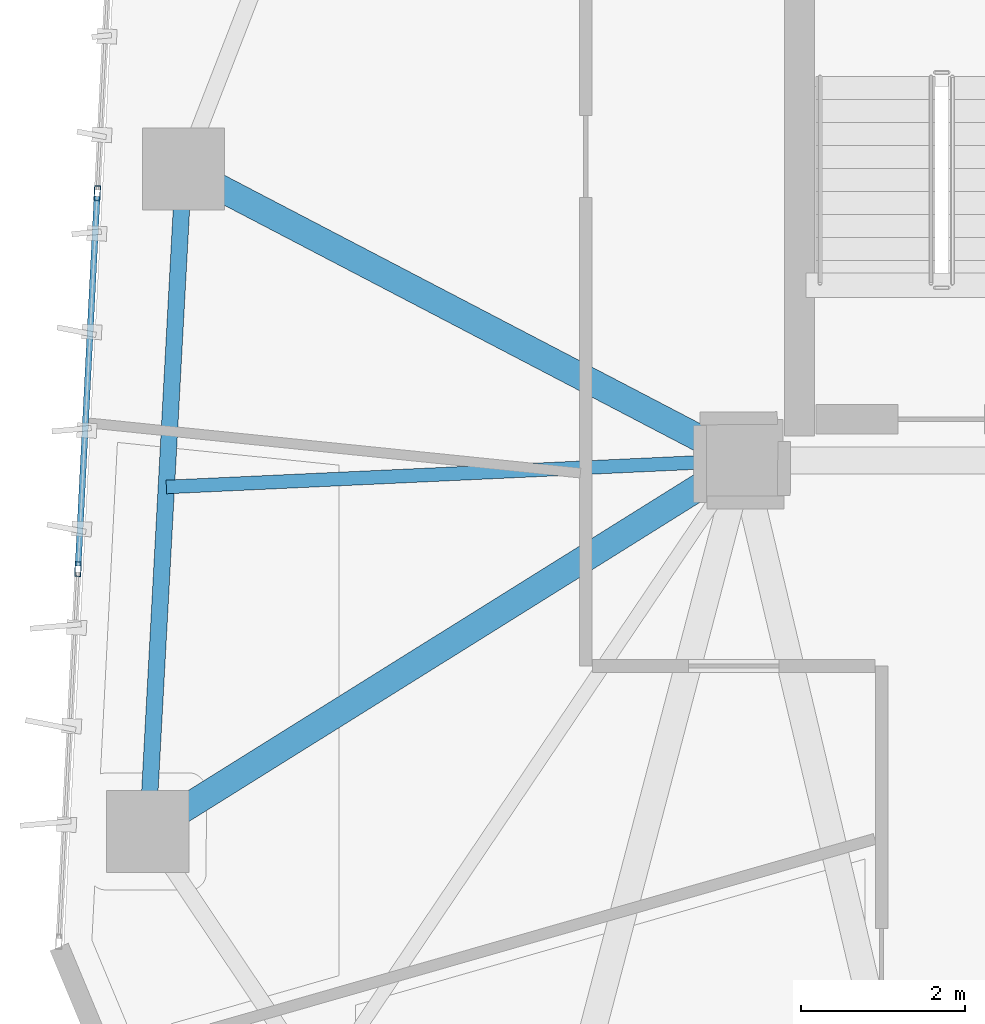
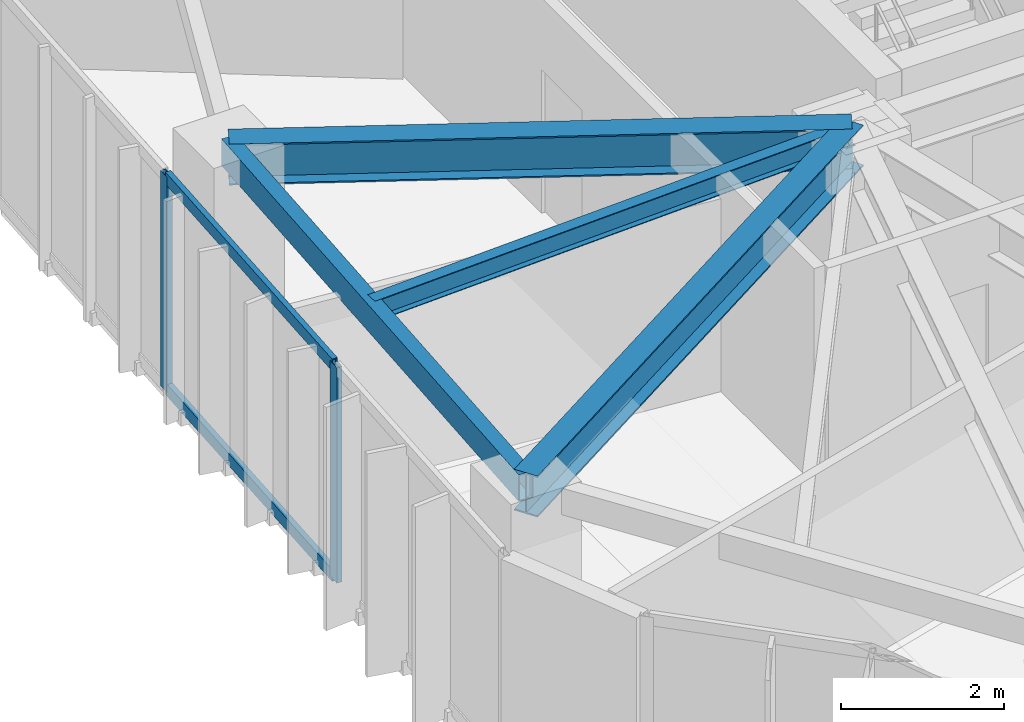
# One storey, part 7 of 19: 4 beams, 4 members, 1 element without a shape of its own.
"""IFC4 building model written with IfcOpenShell, lengths in metres."""

from ifc_helpers import new_model, si_unit, direction, frame, origin, origin_2d, place, context, subcontext, project, spatial, hollow_rectangle, i_section, extrude, source, transform, mapped, material, layer, layer_set, material_profile, profile_set, type_object, type_shapes, element, aggregate, save


model = new_model("IFC4")

# Units and contexts
model_context = context("Model", 3, precision=1e-05, world=origin(), true_north=direction((0.0, 1.0)))
body_context = subcontext(model_context, "Body", "Model", "MODEL_VIEW")
ifc_project = project(units=[si_unit("LENGTHUNIT", "METRE"), si_unit("AREAUNIT", "SQUARE_METRE"), si_unit("VOLUMEUNIT", "CUBIC_METRE"), si_unit("PLANEANGLEUNIT", "RADIAN"), si_unit("MASSUNIT", "GRAM", prefix="KILO")], contexts=[model_context])

# Site, building, storey
site_placement = place(None, origin())
site = spatial("IfcSite", under=ifc_project, at=site_placement, CompositionType="ELEMENT")
building_placement = place(site_placement, origin())
building = spatial("IfcBuilding", under=site, at=building_placement, Name="Talar Marvaseh", CompositionType="ELEMENT")
storey_placement = place(building_placement, frame((0.0, 0.0, 218.699951171875)))
storey = spatial("IfcBuildingStorey", under=building, at=storey_placement, Name="L57", CompositionType="ELEMENT", Elevation=218.699951171875)

# Beams
ifc_material_1 = material(Name="Steel S355", Category="steel")
ifc_material_profile_1 = material_profile(ifc_material_1, hollow_rectangle(XDim=0.199951171875, YDim=0.39990234375, WallThickness=0.013916015625, at=origin_2d()), Name="RHS400x200x14")
ifc_profile_set_1 = profile_set([ifc_material_profile_1], Name="Steel S355")
beam_type_1 = type_object("IfcBeamType", Name="Zone 3 Perimeter Spandrel Beam RHS400x200x14", PredefinedType="SPANDREL", material=ifc_profile_set_1)
beam_1_placement = place(storey_placement, frame((11.471923828125, 20.986083984375, 3.030029296875), z_axis=(0.054148078426, 0.998532916635, 0.0), x_axis=(-0.998532916635, 0.054148078426, 0.0)))
element("IfcBeam", 1, at=beam_1_placement, inside=storey, type_object=beam_type_1, Name="L57 Zone 3 Perimeter Spandrel Beam RHS400x200x14", PredefinedType="SPANDREL", context=body_context, shape_type="SweptSolid", body=[
    extrude(hollow_rectangle(XDim=0.199951171875, YDim=0.39990234375, WallThickness=0.013916015625, at=origin_2d()), origin(), (0.0, 0.0, 1.0), 8.070556640625),
])
ifc_material_profile_2 = material_profile(ifc_material_1, i_section(OverallWidth=0.324951171875, OverallDepth=0.615966796875, WebThickness=0.013916015625, FlangeThickness=0.021484375, at=origin_2d()), Name="W610x174")
ifc_profile_set_2 = profile_set([ifc_material_profile_2], Name="Steel S355")
beam_type_2 = type_object("IfcBeamType", Name="Zone 3 Radial Floor Girder W610x174", PredefinedType="BEAM", material=ifc_profile_set_2)
beam_2_placement = place(storey_placement, frame((11.471923828125, 20.986083984375, 2.922119140625), z_axis=(0.848188171212, 0.52969503133, 0.0), x_axis=(-0.52969503133, 0.848188171212, 0.0)))
element("IfcBeam", 2, at=beam_2_placement, inside=storey, type_object=beam_type_2, Name="L57 Zone 3 Radial Floor Girder W610x174", PredefinedType="BEAM", context=body_context, shape_type="SweptSolid", body=[
    extrude(i_section(OverallWidth=0.324951171875, OverallDepth=0.615966796875, WebThickness=0.013916015625, FlangeThickness=0.021484375, at=origin_2d()), origin(), (0.0, 0.0, 1.0), 8.521728515625),
])
beam_3_placement = place(storey_placement, frame((11.908935546875, 29.044921875, 2.922119140625), z_axis=(0.886489360055, -0.462748975697, 0.0), x_axis=(0.462748975697, 0.886489360055, 0.0)))
element("IfcBeam", 3, at=beam_3_placement, inside=storey, type_object=beam_type_2, Name="L57 Zone 3 Radial Floor Girder W610x174", PredefinedType="BEAM", context=body_context, shape_type="SweptSolid", body=[
    extrude(i_section(OverallWidth=0.324951171875, OverallDepth=0.615966796875, WebThickness=0.013916015625, FlangeThickness=0.021484375, at=origin_2d()), origin(), (0.0, 0.0, 1.0), 7.66064453125),
])
ifc_material_profile_3 = material_profile(ifc_material_1, i_section(OverallWidth=0.166015625, OverallDepth=0.31298828125, WebThickness=0.006591796875, FlangeThickness=0.01123046875, at=origin_2d()), Name="W310x45")
ifc_profile_set_3 = profile_set([ifc_material_profile_3], Name="Steel S355")
beam_type_3 = type_object("IfcBeamType", Name="Zone 3 Secondary Floor Joist W310x45", PredefinedType="JOIST", material=ifc_profile_set_3)
beam_4_placement = place(storey_placement, frame((11.69921875, 25.1767578125, 3.073486328125), z_axis=(0.998935745755, 0.046123484826, 0.0), x_axis=(-0.046123484826, 0.998935745755, 0.0)))
element("IfcBeam", 4, at=beam_4_placement, inside=storey, type_object=beam_type_3, Name="L57 Zone 3 Secondary Floor Joist W310x45", PredefinedType="JOIST", context=body_context, shape_type="SweptSolid", body=[
    extrude(i_section(OverallWidth=0.166015625, OverallDepth=0.31298828125, WebThickness=0.006591796875, FlangeThickness=0.01123046875, at=origin_2d()), origin(), (0.0, 0.0, 1.0), 7.00830078125),
])

# Curtain wall, members
ifc_material_2 = material(Name="Architectural Aluminium", Category="aluminium")
ifc_layer = layer(ifc_material_2, 0.18994140625)
ifc_layer_set = layer_set([ifc_layer], Name="Architectural Aluminium")
curtain_wall_type = type_object("IfcCurtainWallType", Name="Unitised Solar Atelier Curtain Wall Z3", PredefinedType="NOTDEFINED", material=ifc_layer_set)
curtain_wall_placement = place(storey_placement, origin())
curtain_wall = element("IfcCurtainWall", 5, at=curtain_wall_placement, inside=storey, type_object=curtain_wall_type, Name="L57 Unitised Solar Atelier Curtain Wall Z3", PredefinedType="NOTDEFINED")
ifc_material_profile_4 = material_profile(ifc_material_2, hollow_rectangle(XDim=0.074951171875, YDim=0.179931640625, WallThickness=0.0048828125, at=origin_2d()), Name="RHS180x75x5")
ifc_profile_set_4 = profile_set([ifc_material_profile_4], Name="Architectural Aluminium")
member_type_1 = type_object("IfcMemberType", Name="Unitised Curtain Wall Standard Mullion RHS180x75x5", PredefinedType="MULLION", material=ifc_profile_set_4)
shared_shape_1 = source(origin(), body_context, "Body", "SweptSolid", [
    extrude(hollow_rectangle(XDim=0.074951171875, YDim=0.179931640625, WallThickness=0.0048828125, at=origin_2d()), origin(), (0.0, 0.0, 1.0), 3.22998046875),
])
type_shapes(member_type_1, [shared_shape_1])
member_1_placement = place(storey_placement, frame((10.62451171875, 24.178955078125, 0.0), z_axis=(0.0, 0.0, 1.0), x_axis=(-0.998690889639, 0.051151803012, 0.0)))
member_1 = element("IfcMember", 6, at=member_1_placement, type_object=member_type_1, Name="CW-Z3 mullion 2", PredefinedType="MULLION", context=body_context, shape_type="MappedRepresentation", body=[
    mapped(shared_shape_1, transform((0.0, 0.0, 0.0), x_axis=(1.0, 0.0, 0.0), y_axis=(0.0, 1.0, 0.0), z_axis=(0.0, 0.0, 1.0), scale=1.0)),
])
member_2_placement = place(storey_placement, frame((10.858642578125, 28.750244140625, 0.0), z_axis=(0.0, 0.0, 1.0), x_axis=(-0.998690889639, 0.051151803012, 0.0)))
member_2 = element("IfcMember", 7, at=member_2_placement, type_object=member_type_1, Name="CW-Z3 mullion 3", PredefinedType="MULLION", context=body_context, shape_type="MappedRepresentation", body=[
    mapped(shared_shape_1, transform((0.0, 0.0, 0.0), x_axis=(1.0, 0.0, 0.0), y_axis=(0.0, 1.0, 0.0), z_axis=(0.0, 0.0, 1.0), scale=1.0)),
])
ifc_material_profile_5 = material_profile(ifc_material_2, hollow_rectangle(XDim=0.074951171875, YDim=0.179931640625, WallThickness=0.0048828125, at=origin_2d()), Name="RHS180x75x5")
ifc_profile_set_5 = profile_set([ifc_material_profile_5], Name="Architectural Aluminium")
member_type_2 = type_object("IfcMemberType", Name="Unitised Curtain Wall Transom RHS180x75x5", PredefinedType="USERDEFINED", material=ifc_profile_set_5)
shared_shape_2 = source(origin(), body_context, "Body", "SweptSolid", [
    extrude(hollow_rectangle(XDim=0.074951171875, YDim=0.179931640625, WallThickness=0.0048828125, at=origin_2d()), origin(), (0.0, 0.0, 1.0), 4.502197265625),
])
type_shapes(member_type_2, [shared_shape_2])
member_3_placement = place(storey_placement, frame((10.62646484375, 24.21630859375, 0.03759765625), z_axis=(0.051135705398, 0.998691714011, 0.0), x_axis=(-0.998691714011, 0.051135705398, 0.0)))
member_3 = element("IfcMember", 8, at=member_3_placement, type_object=member_type_2, Name="CW-Z3 transom 2.1", ObjectType="TRANSOM", PredefinedType="USERDEFINED", context=body_context, shape_type="MappedRepresentation", body=[
    mapped(shared_shape_2, transform((0.0, 0.0, 0.0), x_axis=(1.0, 0.0, 0.0), y_axis=(0.0, 1.0, 0.0), z_axis=(0.0, 0.0, 1.0), scale=1.0)),
])
member_4_placement = place(storey_placement, frame((10.62646484375, 24.21630859375, 3.192626953125), z_axis=(0.051135705398, 0.998691714011, 0.0), x_axis=(-0.998691714011, 0.051135705398, 0.0)))
member_4 = element("IfcMember", 9, at=member_4_placement, type_object=member_type_2, Name="CW-Z3 transom 2.2", ObjectType="TRANSOM", PredefinedType="USERDEFINED", context=body_context, shape_type="MappedRepresentation", body=[
    mapped(shared_shape_2, transform((0.0, 0.0, 0.0), x_axis=(1.0, 0.0, 0.0), y_axis=(0.0, 1.0, 0.0), z_axis=(0.0, 0.0, 1.0), scale=1.0)),
])
aggregate(curtain_wall, [member_1, member_2, member_3, member_4])

save(model, "model.ifc")
